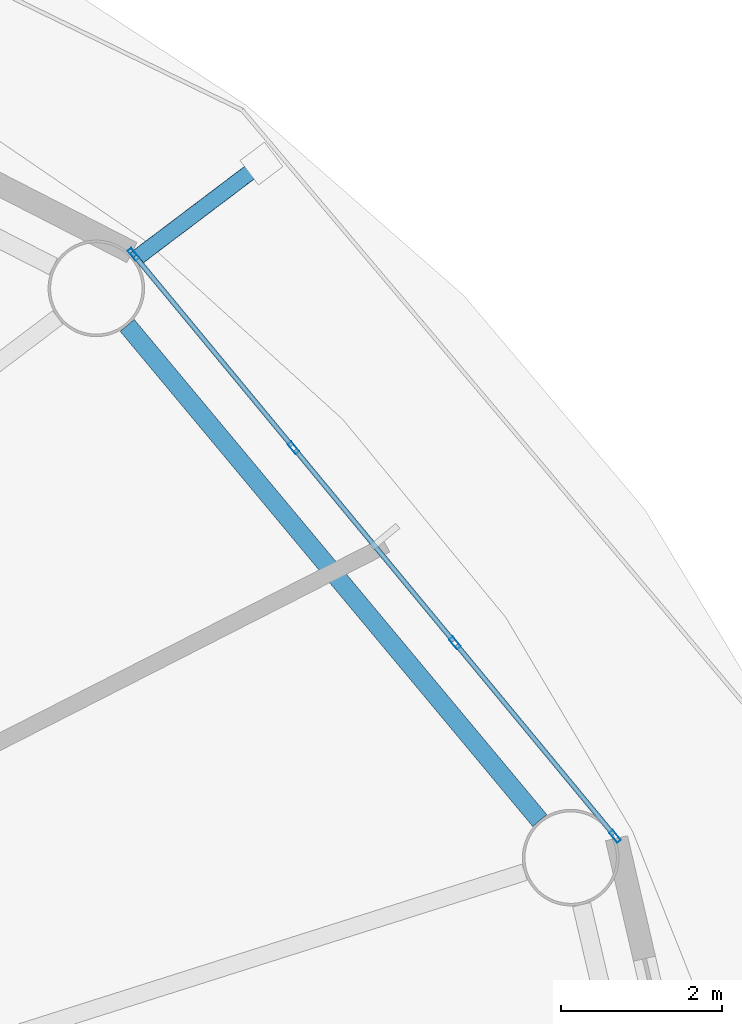
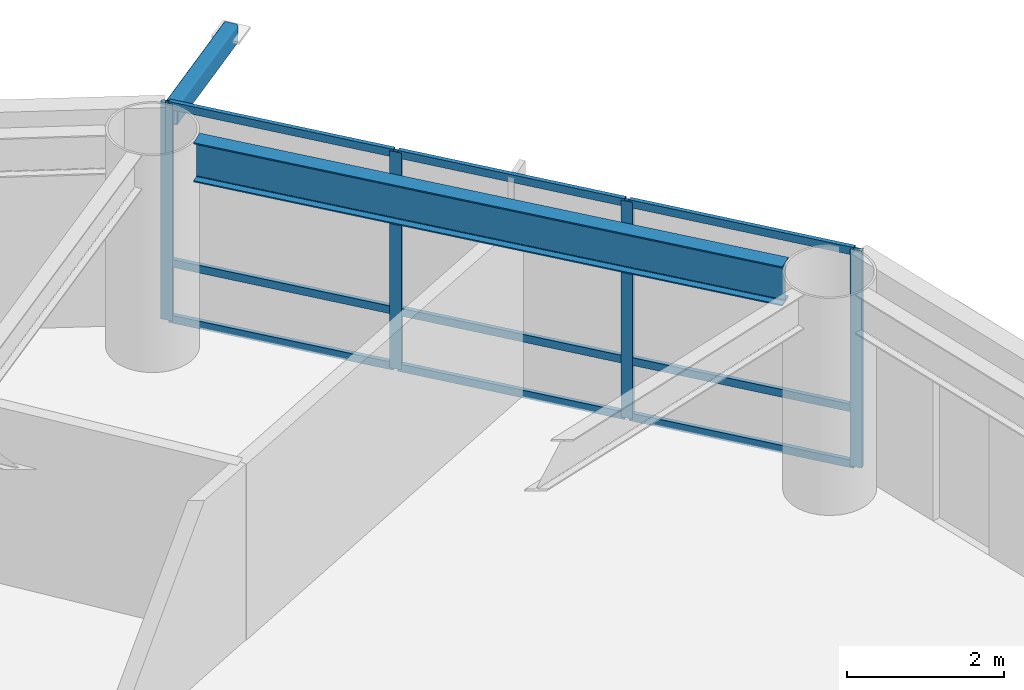
# One storey, part 12 of 24: 14 members, 1 beam, 1 element without a shape of its own.
"""IFC4 building model written with IfcOpenShell, lengths in metres."""

from ifc_helpers import new_model, si_unit, direction, frame, origin, origin_2d, place, context, subcontext, project, spatial, hollow_rectangle, i_section, extrude, material, layer, layer_set, material_profile, profile_set, type_object, element, aggregate, save


model = new_model("IFC4")

# Units and contexts
model_context = context("Model", 3, precision=1e-05, world=origin(), true_north=direction((0.0, 1.0)))
body_context = subcontext(model_context, "Body", "Model", "MODEL_VIEW")
ifc_project = project(units=[si_unit("LENGTHUNIT", "METRE"), si_unit("AREAUNIT", "SQUARE_METRE"), si_unit("VOLUMEUNIT", "CUBIC_METRE"), si_unit("PLANEANGLEUNIT", "RADIAN"), si_unit("MASSUNIT", "GRAM", prefix="KILO")], contexts=[model_context])

# Site, building, storey
site_placement = place(None, origin())
site = spatial("IfcSite", under=ifc_project, at=site_placement, CompositionType="ELEMENT")
building_placement = place(site_placement, origin())
building = spatial("IfcBuilding", under=site, at=building_placement, Name="Sarneth Arch Tower", CompositionType="ELEMENT")
storey_placement = place(building_placement, frame((0.0, 0.0, 109.199951171875)))
storey = spatial("IfcBuildingStorey", under=building, at=storey_placement, Name="L27", CompositionType="ELEMENT", Elevation=109.199951171875)

# Beam
ifc_material_1 = material(Name="Steel S355", Category="steel")
ifc_material_profile_1 = material_profile(ifc_material_1, i_section(OverallWidth=0.22900390625, OverallDepth=0.612060546875, WebThickness=0.011962890625, FlangeThickness=0.01953125, FilletRadius=0.01904296875, at=origin_2d()), Name="W610x125")
ifc_profile_set_1 = profile_set([ifc_material_profile_1], Name="Steel S355")
beam_type = type_object("IfcBeamType", Name="BM-SPAN-610C", PredefinedType="SPANDREL", material=ifc_profile_set_1)
beam_placement = place(storey_placement, frame((73.906982421875, 50.803466796875, 3.073974609375), z_axis=(-0.640163403463, 0.768238775946, 0.0), x_axis=(-0.768238775946, -0.640163403463, 0.0)))
element("IfcBeam", 1, at=beam_placement, inside=storey, type_object=beam_type, Name="L27 Perimeter spandrel beam 02", PredefinedType="SPANDREL", context=body_context, shape_type="SweptSolid", body=[
    extrude(i_section(OverallWidth=0.22900390625, OverallDepth=0.612060546875, WebThickness=0.011962890625, FlangeThickness=0.01953125, FilletRadius=0.01904296875, at=origin_2d()), origin(), (0.0, 0.0, 1.0), 8.006103515625),
])

# Curtain wall, members
ifc_material_2 = material(Name="Anodised aluminium Type AA25 and solar-control low-e laminated IGU", Category="aluminium")
ifc_layer = layer(ifc_material_2, 0.159912109375)
ifc_layer_set = layer_set([ifc_layer], Name="Anodised aluminium Type AA25 and solar-control low-e laminated IGU")
curtain_wall_type = type_object("IfcCurtainWallType", Name="CW-HOTEL-MID", PredefinedType="NOTDEFINED", material=ifc_layer_set)
curtain_wall_placement = place(storey_placement, origin())
curtain_wall = element("IfcCurtainWall", 2, at=curtain_wall_placement, inside=storey, type_object=curtain_wall_type, Name="L27 Unitised curtain wall facet 02", PredefinedType="NOTDEFINED")
ifc_material_3 = material(Name="Anodised Aluminium 6063-T6", Category="aluminium")
ifc_material_profile_2 = material_profile(ifc_material_3, hollow_rectangle(XDim=0.06005859375, YDim=0.159912109375, WallThickness=0.00390625, at=origin_2d()), Name="AL-MULL-160x60x4")
ifc_profile_set_2 = profile_set([ifc_material_profile_2], Name="Anodised Aluminium 6063-T6")
member_type_1 = type_object("IfcMemberType", Name="CW-MULLION", PredefinedType="MULLION", material=ifc_profile_set_2)
member_1_placement = place(storey_placement, frame((74.84228515625, 50.606689453125, 0.0), z_axis=(0.0, 0.0, 1.0), x_axis=(-0.770437787363, -0.637515188684, 0.0)))
member_1 = element("IfcMember", 3, at=member_1_placement, type_object=member_type_1, Name="CW-SYS-4 mullion 1", PredefinedType="MULLION", context=body_context, shape_type="SweptSolid", body=[
    extrude(hollow_rectangle(XDim=0.06005859375, YDim=0.159912109375, WallThickness=0.00390625, at=origin_2d()), origin(), (0.0, 0.0, 1.0), 3.380126953125),
])
member_2_placement = place(storey_placement, frame((72.854248046875, 53.00927734375, 0.0), z_axis=(0.0, 0.0, 1.0), x_axis=(-0.770437787363, -0.637515188684, 0.0)))
member_2 = element("IfcMember", 4, at=member_2_placement, type_object=member_type_1, Name="CW-SYS-4 mullion 2", PredefinedType="MULLION", context=body_context, shape_type="SweptSolid", body=[
    extrude(hollow_rectangle(XDim=0.06005859375, YDim=0.159912109375, WallThickness=0.00390625, at=origin_2d()), origin(), (0.0, 0.0, 1.0), 3.380126953125),
])
member_3_placement = place(storey_placement, frame((70.84716796875, 55.434814453125, 0.0), z_axis=(0.0, 0.0, 1.0), x_axis=(-0.770437787363, -0.637515188684, 0.0)))
member_3 = element("IfcMember", 5, at=member_3_placement, type_object=member_type_1, Name="CW-SYS-4 mullion 3", PredefinedType="MULLION", context=body_context, shape_type="SweptSolid", body=[
    extrude(hollow_rectangle(XDim=0.06005859375, YDim=0.159912109375, WallThickness=0.00390625, at=origin_2d()), origin(), (0.0, 0.0, 1.0), 3.380126953125),
])
member_4_placement = place(storey_placement, frame((68.859130859375, 57.83740234375, 0.0), z_axis=(0.0, 0.0, 1.0), x_axis=(-0.770437787363, -0.637515188684, 0.0)))
member_4 = element("IfcMember", 6, at=member_4_placement, type_object=member_type_1, Name="CW-SYS-4 mullion 4", PredefinedType="MULLION", context=body_context, shape_type="SweptSolid", body=[
    extrude(hollow_rectangle(XDim=0.06005859375, YDim=0.159912109375, WallThickness=0.00390625, at=origin_2d()), origin(), (0.0, 0.0, 1.0), 3.380126953125),
])
ifc_material_4 = material(Name="Anodised Aluminium 6063-T6", Category="aluminium")
ifc_material_profile_3 = material_profile(ifc_material_4, hollow_rectangle(XDim=0.06005859375, YDim=0.1201171875, WallThickness=0.00390625, at=origin_2d()), Name="AL-TRAN-120x60x4")
ifc_profile_set_3 = profile_set([ifc_material_profile_3], Name="Anodised Aluminium 6063-T6")
member_type_2 = type_object("IfcMemberType", Name="CW-TRANSOM", PredefinedType="USERDEFINED", material=ifc_profile_set_3)
member_5_placement = place(storey_placement, frame((74.8232421875, 50.6298828125, 0.030029296875), z_axis=(-0.637566080343, 0.770395673142, 0.0), x_axis=(-0.770395673142, -0.637566080343, 0.0)))
member_5 = element("IfcMember", 7, at=member_5_placement, type_object=member_type_2, Name="CW-SYS-4 transom 1.1", ObjectType="TRANSOM", PredefinedType="USERDEFINED", context=body_context, shape_type="SweptSolid", body=[
    extrude(hollow_rectangle(XDim=0.06005859375, YDim=0.1201171875, WallThickness=0.00390625, at=origin_2d()), origin(), (0.0, 0.0, 1.0), 3.058349609375),
])
member_6_placement = place(storey_placement, frame((74.8232421875, 50.6298828125, 0.900146484375), z_axis=(-0.637566080343, 0.770395673142, 0.0), x_axis=(-0.770395673142, -0.637566080343, 0.0)))
member_6 = element("IfcMember", 8, at=member_6_placement, type_object=member_type_2, Name="CW-SYS-4 transom 1.2", ObjectType="TRANSOM", PredefinedType="USERDEFINED", context=body_context, shape_type="SweptSolid", body=[
    extrude(hollow_rectangle(XDim=0.06005859375, YDim=0.1201171875, WallThickness=0.00390625, at=origin_2d()), origin(), (0.0, 0.0, 1.0), 3.058349609375),
])
member_7_placement = place(storey_placement, frame((74.8232421875, 50.6298828125, 3.35009765625), z_axis=(-0.637566080343, 0.770395673142, 0.0), x_axis=(-0.770395673142, -0.637566080343, 0.0)))
member_7 = element("IfcMember", 9, at=member_7_placement, type_object=member_type_2, Name="CW-SYS-4 transom 1.3", ObjectType="TRANSOM", PredefinedType="USERDEFINED", context=body_context, shape_type="SweptSolid", body=[
    extrude(hollow_rectangle(XDim=0.06005859375, YDim=0.1201171875, WallThickness=0.00390625, at=origin_2d()), origin(), (0.0, 0.0, 1.0), 3.058349609375),
])
member_8_placement = place(storey_placement, frame((72.835205078125, 53.0322265625, 0.030029296875), z_axis=(-0.637536975021, 0.770419759275, 0.0), x_axis=(-0.770419759275, -0.637536975021, 0.0)))
member_8 = element("IfcMember", 10, at=member_8_placement, type_object=member_type_2, Name="CW-SYS-4 transom 2.1", ObjectType="TRANSOM", PredefinedType="USERDEFINED", context=body_context, shape_type="SweptSolid", body=[
    extrude(hollow_rectangle(XDim=0.06005859375, YDim=0.1201171875, WallThickness=0.00390625, at=origin_2d()), origin(), (0.0, 0.0, 1.0), 3.08837890625),
])
member_9_placement = place(storey_placement, frame((72.835205078125, 53.0322265625, 0.900146484375), z_axis=(-0.637536975021, 0.770419759275, 0.0), x_axis=(-0.770419759275, -0.637536975021, 0.0)))
member_9 = element("IfcMember", 11, at=member_9_placement, type_object=member_type_2, Name="CW-SYS-4 transom 2.2", ObjectType="TRANSOM", PredefinedType="USERDEFINED", context=body_context, shape_type="SweptSolid", body=[
    extrude(hollow_rectangle(XDim=0.06005859375, YDim=0.1201171875, WallThickness=0.00390625, at=origin_2d()), origin(), (0.0, 0.0, 1.0), 3.08837890625),
])
member_10_placement = place(storey_placement, frame((72.835205078125, 53.0322265625, 3.35009765625), z_axis=(-0.637536975021, 0.770419759275, 0.0), x_axis=(-0.770419759275, -0.637536975021, 0.0)))
member_10 = element("IfcMember", 12, at=member_10_placement, type_object=member_type_2, Name="CW-SYS-4 transom 2.3", ObjectType="TRANSOM", PredefinedType="USERDEFINED", context=body_context, shape_type="SweptSolid", body=[
    extrude(hollow_rectangle(XDim=0.06005859375, YDim=0.1201171875, WallThickness=0.00390625, at=origin_2d()), origin(), (0.0, 0.0, 1.0), 3.08837890625),
])
member_11_placement = place(storey_placement, frame((70.828125, 55.4580078125, 0.030029296875), z_axis=(-0.637566080343, 0.770395673142, 0.0), x_axis=(-0.770395673142, -0.637566080343, 0.0)))
member_11 = element("IfcMember", 13, at=member_11_placement, type_object=member_type_2, Name="CW-SYS-4 transom 3.1", ObjectType="TRANSOM", PredefinedType="USERDEFINED", context=body_context, shape_type="SweptSolid", body=[
    extrude(hollow_rectangle(XDim=0.06005859375, YDim=0.1201171875, WallThickness=0.00390625, at=origin_2d()), origin(), (0.0, 0.0, 1.0), 3.058349609375),
])
member_12_placement = place(storey_placement, frame((70.828125, 55.4580078125, 0.900146484375), z_axis=(-0.637566080343, 0.770395673142, 0.0), x_axis=(-0.770395673142, -0.637566080343, 0.0)))
member_12 = element("IfcMember", 14, at=member_12_placement, type_object=member_type_2, Name="CW-SYS-4 transom 3.2", ObjectType="TRANSOM", PredefinedType="USERDEFINED", context=body_context, shape_type="SweptSolid", body=[
    extrude(hollow_rectangle(XDim=0.06005859375, YDim=0.1201171875, WallThickness=0.00390625, at=origin_2d()), origin(), (0.0, 0.0, 1.0), 3.058349609375),
])
member_13_placement = place(storey_placement, frame((70.828125, 55.4580078125, 3.35009765625), z_axis=(-0.637566080343, 0.770395673142, 0.0), x_axis=(-0.770395673142, -0.637566080343, 0.0)))
member_13 = element("IfcMember", 15, at=member_13_placement, type_object=member_type_2, Name="CW-SYS-4 transom 3.3", ObjectType="TRANSOM", PredefinedType="USERDEFINED", context=body_context, shape_type="SweptSolid", body=[
    extrude(hollow_rectangle(XDim=0.06005859375, YDim=0.1201171875, WallThickness=0.00390625, at=origin_2d()), origin(), (0.0, 0.0, 1.0), 3.058349609375),
])
aggregate(curtain_wall, [member_1, member_2, member_3, member_4, member_5, member_6, member_7, member_8, member_9, member_10, member_11, member_12, member_13])

# Member
ifc_material_5 = material(Name="Steel S355", Category="steel")
ifc_material_profile_4 = material_profile(ifc_material_5, hollow_rectangle(XDim=0.199951171875, YDim=0.300048828125, WallThickness=0.012451171875, InnerFilletRadius=0.018798828125, OuterFilletRadius=0.03125, at=origin_2d()), Name="RHS300x200x12.5")
ifc_profile_set_4 = profile_set([ifc_material_profile_4], Name="Steel S355")
member_type_3 = type_object("IfcMemberType", Name="MEM-CANT-STRUT", PredefinedType="STRUT", material=ifc_profile_set_4)
member_14_placement = place(storey_placement, frame((68.876220703125, 57.776611328125, 3.219970703125), z_axis=(0.797811767561, 0.60290661262, 0.0), x_axis=(-0.60290661262, 0.797811767561, 0.0)))
element("IfcMember", 16, at=member_14_placement, inside=storey, type_object=member_type_3, Name="L27 Balcony cantilever bracket 03", PredefinedType="STRUT", context=body_context, shape_type="SweptSolid", body=[
    extrude(hollow_rectangle(XDim=0.199951171875, YDim=0.300048828125, WallThickness=0.012451171875, InnerFilletRadius=0.018798828125, OuterFilletRadius=0.03125, at=origin_2d()), origin(), (0.0, 0.0, 1.0), 1.972900390625),
])

save(model, "model.ifc")
